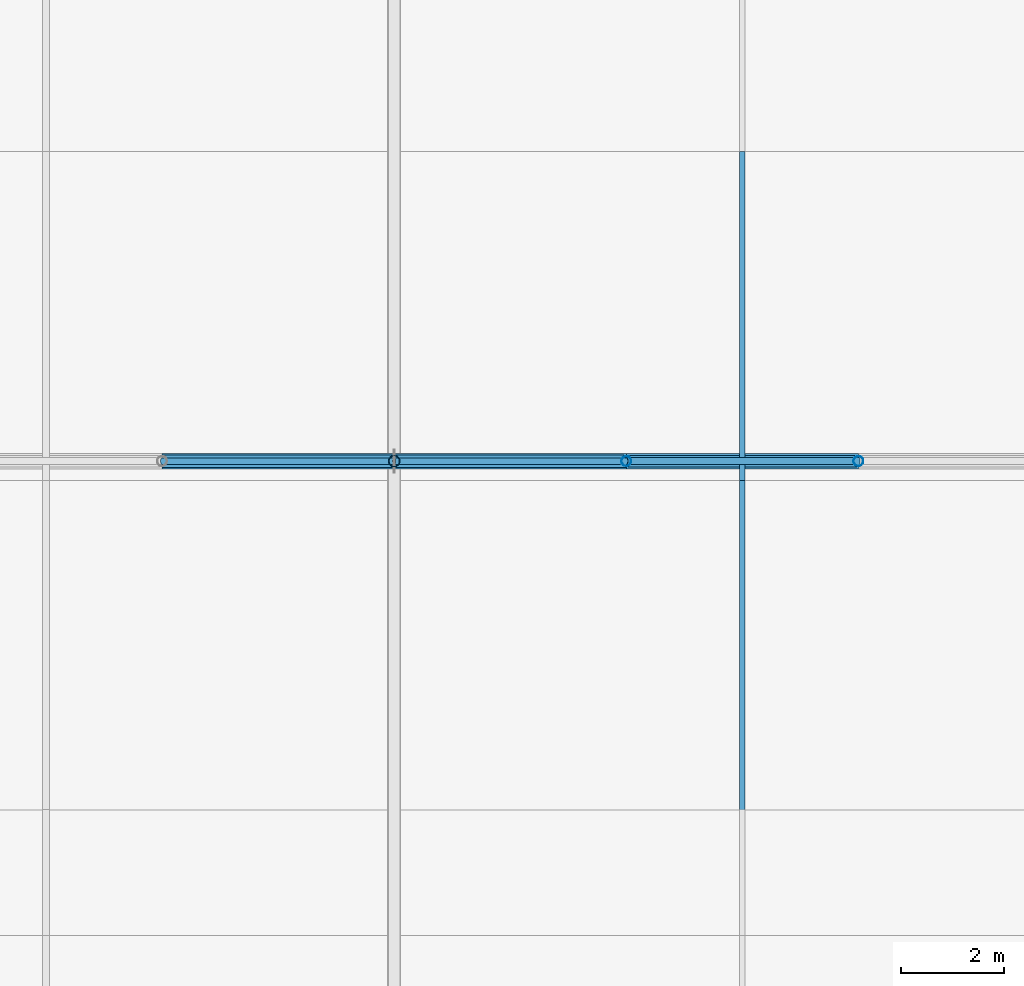
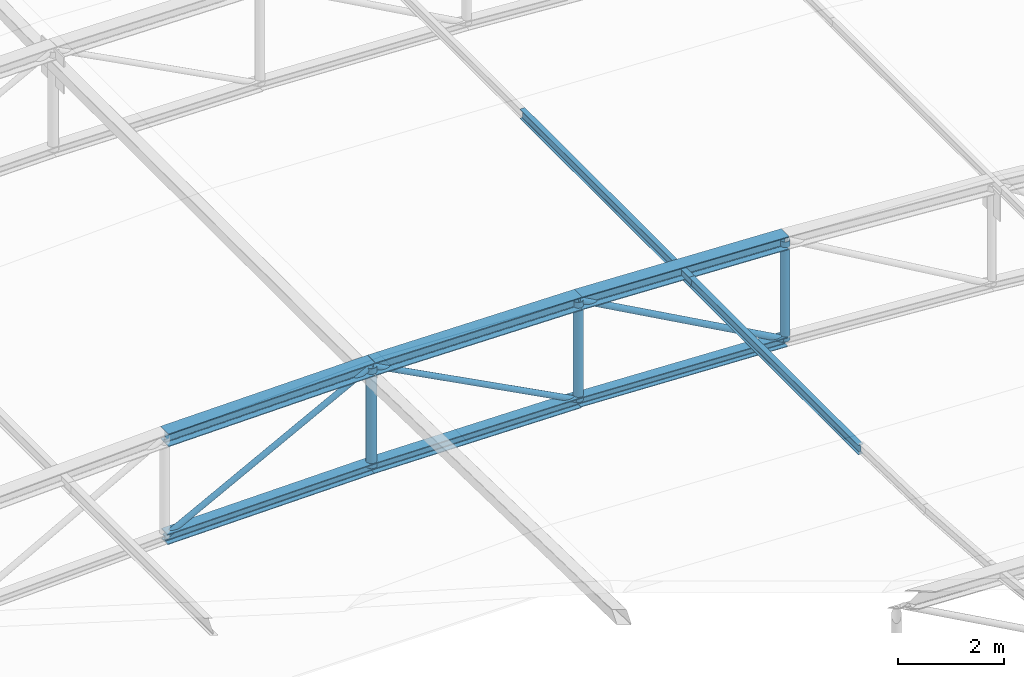
# One storey, part 97 of 262: 14 members.
"""IFC4 building model written with IfcOpenShell, lengths in metres."""

from ifc_helpers import new_model, si_unit, derived_unit, direction, frame, origin, origin_2d, place, context, subcontext, project, spatial, hollow_circle, i_section, extrude, material, material_profile, profile_set, type_object, element, save


model = new_model("IFC4")

# Units and contexts
model_context = context("Model", 3, precision=1e-05, world=origin(), true_north=direction((0.0, 1.0)))
body_context = subcontext(model_context, "Body", "Model", "MODEL_VIEW")
ifc_project = project(units=[si_unit("LENGTHUNIT", "METRE"), si_unit("AREAUNIT", "SQUARE_METRE"), si_unit("VOLUMEUNIT", "CUBIC_METRE"), si_unit("PLANEANGLEUNIT", "RADIAN"), si_unit("MASSUNIT", "GRAM", prefix="KILO"), derived_unit("THERMALTRANSMITTANCEUNIT", [(si_unit("POWERUNIT", "WATT"), 1), (si_unit("LENGTHUNIT", "METRE"), -2), (si_unit("THERMODYNAMICTEMPERATUREUNIT", "KELVIN"), -1)])], contexts=[model_context])

# Site, building, storey
site_placement = place(None, origin())
site = spatial("IfcSite", under=ifc_project, at=site_placement, CompositionType="ELEMENT")
building_placement = place(site_placement, origin())
building = spatial("IfcBuilding", under=site, at=building_placement, Name="Almenara Railside Exhibition Hall", CompositionType="ELEMENT")
storey_placement = place(building_placement, frame((0.0, 0.0, 21.699951171875)))
storey = spatial("IfcBuildingStorey", under=building, at=storey_placement, Name="RF", CompositionType="ELEMENT", Elevation=21.699951171875)

# Members
ifc_material = material(Name="Structural steel S355JR", Category="steel")
ifc_material_profile_1 = material_profile(ifc_material, i_section(OverallWidth=0.239990234375, OverallDepth=0.239990234375, WebThickness=0.010009765625, FlangeThickness=0.01708984375, FilletRadius=0.02099609375, at=origin_2d()), Name="HEB 240")
ifc_profile_set_1 = profile_set([ifc_material_profile_1], Name="Structural steel S355JR")
member_type_1 = type_object("IfcMemberType", Name="Arched Crown Bottom Chord HEB 240 S355JR", PredefinedType="CHORD", material=ifc_profile_set_1)
for number, where, z_axis, x_axis, name in (
    (1, (34.5, 84.0, -0.260986328125), (0.999908030213, 0.0, 0.013562120635), (0.0, 1.0, 0.0), "MEM-BC-V1-03-05"),
    (2, (39.0, 84.0, -0.199951171875), (0.999908030213, 0.0, -0.013562120635), (0.0, 1.0, 0.0), "MEM-BC-V1-03-06"),
):
    element("IfcMember", number, at=place(storey_placement, frame(where, z_axis=z_axis, x_axis=x_axis)), inside=storey, type_object=member_type_1, Name=name, PredefinedType="CHORD", context=body_context, shape_type="SweptSolid", body=[
        extrude(i_section(OverallWidth=0.239990234375, OverallDepth=0.239990234375, WebThickness=0.010009765625, FlangeThickness=0.01708984375, FilletRadius=0.02099609375, at=origin_2d()), origin(), (0.0, 0.0, 1.0), 4.50048828125),
    ])
ifc_material_profile_2 = material_profile(ifc_material, i_section(OverallWidth=0.300048828125, OverallDepth=0.300048828125, WebThickness=0.010986328125, FlangeThickness=0.01904296875, FilletRadius=0.027099609375, at=origin_2d()), Name="HEB 300")
ifc_profile_set_2 = profile_set([ifc_material_profile_2], Name="Structural steel S355JR")
member_type_2 = type_object("IfcMemberType", Name="Arched Inner Top Chord HEB 300 S355JR", PredefinedType="CHORD", material=ifc_profile_set_2)
for number, where, z_axis, x_axis, name in (
    (3, (34.5, 84.0, 2.038818359375), (0.999907293085, 0.0, 0.01361635908), (0.0, 1.0, 0.0), "MEM-TC-V1-03-05"),
    (4, (39.0, 84.0, 2.10009765625), (0.999907293085, 0.0, -0.01361635908), (0.0, 1.0, 0.0), "MEM-TC-V1-03-06"),
):
    element("IfcMember", number, at=place(storey_placement, frame(where, z_axis=z_axis, x_axis=x_axis)), inside=storey, type_object=member_type_2, Name=name, PredefinedType="CHORD", context=body_context, shape_type="SweptSolid", body=[
        extrude(i_section(OverallWidth=0.300048828125, OverallDepth=0.300048828125, WebThickness=0.010986328125, FlangeThickness=0.01904296875, FilletRadius=0.027099609375, at=origin_2d()), origin(), (0.0, 0.0, 1.0), 4.50048828125),
    ])
member_1_placement = place(storey_placement, frame((43.5, 84.0, 2.038818359375), z_axis=(0.999173184279, 0.0, -0.040656460949), x_axis=(0.0, 1.0, 0.0)))
element("IfcMember", 5, at=member_1_placement, inside=storey, type_object=member_type_2, Name="MEM-TC-V1-03-07", PredefinedType="CHORD", context=body_context, shape_type="SweptSolid", body=[
    extrude(i_section(OverallWidth=0.300048828125, OverallDepth=0.300048828125, WebThickness=0.010986328125, FlangeThickness=0.01904296875, FilletRadius=0.027099609375, at=origin_2d()), origin(), (0.0, 0.0, 1.0), 4.503662109375),
])
ifc_material_profile_3 = material_profile(ifc_material, i_section(OverallWidth=0.110107421875, OverallDepth=0.219970703125, WebThickness=0.005859375, FlangeThickness=0.00927734375, FilletRadius=0.011962890625, at=origin_2d()), Name="IPE 220")
ifc_profile_set_3 = profile_set([ifc_material_profile_3], Name="Structural steel S355JR")
member_type_3 = type_object("IfcMemberType", Name="Heavy Hall Roof Purlin IPE 220 S355JR", PredefinedType="PURLIN", material=ifc_profile_set_3)
member_2_placement = place(storey_placement, frame((45.75, 77.240478515625, 1.9052734375), z_axis=(0.0, 1.0, 0.0), x_axis=(-1.0, 0.0, 0.0)))
element("IfcMember", 6, at=member_2_placement, inside=storey, type_object=member_type_3, Name="MEM-PR-V1-PR-IPE220-05-12", PredefinedType="PURLIN", context=body_context, shape_type="SweptSolid", body=[
    extrude(i_section(OverallWidth=0.110107421875, OverallDepth=0.219970703125, WebThickness=0.005859375, FlangeThickness=0.00927734375, FilletRadius=0.011962890625, at=origin_2d()), origin(), (0.0, 0.0, 1.0), 6.379638671875),
])
member_3_placement = place(storey_placement, frame((45.75, 83.6201171875, 1.9052734375), z_axis=(0.0, 1.0, 0.0), x_axis=(-1.0, 0.0, 0.0)))
element("IfcMember", 7, at=member_3_placement, inside=storey, type_object=member_type_3, Name="MEM-PR-V1-PR-IPE220-05-13", PredefinedType="PURLIN", context=body_context, shape_type="SweptSolid", body=[
    extrude(i_section(OverallWidth=0.110107421875, OverallDepth=0.219970703125, WebThickness=0.005859375, FlangeThickness=0.00927734375, FilletRadius=0.011962890625, at=origin_2d()), origin(), (0.0, 0.0, 1.0), 6.3798828125),
])
ifc_material_profile_4 = material_profile(ifc_material, i_section(OverallWidth=0.219970703125, OverallDepth=0.219970703125, WebThickness=0.009521484375, FlangeThickness=0.01611328125, FilletRadius=0.01806640625, at=origin_2d()), Name="HEB 220")
ifc_profile_set_4 = profile_set([ifc_material_profile_4], Name="Structural steel S355JR")
member_type_4 = type_object("IfcMemberType", Name="Scroll Tie Chord HEB 220 S355JR", PredefinedType="CHORD", material=ifc_profile_set_4)
member_4_placement = place(storey_placement, frame((43.5, 84.0, -0.260986328125), z_axis=(0.99917098071, 0.0, -0.04071057978), x_axis=(0.0, 1.0, 0.0)))
element("IfcMember", 8, at=member_4_placement, inside=storey, type_object=member_type_4, Name="MEM-BC-V1-03-07", PredefinedType="CHORD", context=body_context, shape_type="SweptSolid", body=[
    extrude(i_section(OverallWidth=0.219970703125, OverallDepth=0.219970703125, WebThickness=0.009521484375, FlangeThickness=0.01611328125, FilletRadius=0.01806640625, at=origin_2d()), origin(), (0.0, 0.0, 1.0), 4.503662109375),
])
ifc_material_profile_5 = material_profile(ifc_material, hollow_circle(Radius=0.0634765625, WallThickness=0.00439453125, at=origin_2d()), Name="CHS 127.0x4.5")
ifc_profile_set_5 = profile_set([ifc_material_profile_5], Name="Structural steel S355JR")
member_type_5 = type_object("IfcMemberType", Name="Truss Crown Diagonal CHS 127.0x4.5 S355JR", PredefinedType="BRACE", material=ifc_profile_set_5)
for number, where, z_axis, x_axis, name in (
    (9, (34.5, 84.0, -0.260986328125), (0.885512555589, 0.0, 0.464615447326), (0.0, 1.0, 0.0), "MEM-TD-V1-03-05"),
    (10, (39.0, 84.0, 2.10009765625), (0.885512555589, 0.0, -0.464615447326), (0.0, 1.0, 0.0), "MEM-TD-V1-03-06"),
):
    element("IfcMember", number, at=place(storey_placement, frame(where, z_axis=z_axis, x_axis=x_axis)), inside=storey, type_object=member_type_5, Name=name, PredefinedType="BRACE", context=body_context, shape_type="SweptSolid", body=[
        extrude(hollow_circle(Radius=0.0634765625, WallThickness=0.00439453125, at=origin_2d()), origin(), (0.0, 0.0, 1.0), 5.081787109375),
    ])
ifc_material_profile_6 = material_profile(ifc_material, hollow_circle(Radius=0.06982421875, WallThickness=0.0048828125, at=origin_2d()), Name="CHS 139.7x5")
ifc_profile_set_6 = profile_set([ifc_material_profile_6], Name="Structural steel S355JR")
member_type_6 = type_object("IfcMemberType", Name="Truss Inner Diagonal CHS 139.7x5 S355JR", PredefinedType="BRACE", material=ifc_profile_set_6)
member_5_placement = place(storey_placement, frame((43.5, 84.0, 2.038818359375), z_axis=(0.875545119572, 0.0, -0.483136361283), x_axis=(0.0, 1.0, 0.0)))
element("IfcMember", 11, at=member_5_placement, inside=storey, type_object=member_type_6, Name="MEM-TD-V1-03-07", PredefinedType="BRACE", context=body_context, shape_type="SweptSolid", body=[
    extrude(hollow_circle(Radius=0.06982421875, WallThickness=0.0048828125, at=origin_2d()), origin(), (0.0, 0.0, 1.0), 5.1396484375),
])
ifc_material_profile_7 = material_profile(ifc_material, hollow_circle(Radius=0.109619140625, WallThickness=0.008056640625, at=origin_2d()), Name="CHS 219.1x8")
ifc_profile_set_7 = profile_set([ifc_material_profile_7], Name="Structural steel S355JR")
member_type_7 = type_object("IfcMemberType", Name="Truss Primary Vertical Strut CHS 219.1x8 S355JR", PredefinedType="BRACE", material=ifc_profile_set_7)
member_6_placement = place(storey_placement, frame((39.0, 84.0, -0.199951171875), z_axis=(0.0, 0.0, 1.0), x_axis=(1.0, 0.0, 0.0)))
element("IfcMember", 12, at=member_6_placement, inside=storey, type_object=member_type_7, Name="MEM-TV-V1-03-06", PredefinedType="BRACE", context=body_context, shape_type="SweptSolid", body=[
    extrude(hollow_circle(Radius=0.109619140625, WallThickness=0.008056640625, at=origin_2d()), origin(), (0.0, 0.0, 1.0), 2.300048828125),
])
ifc_material_profile_8 = material_profile(ifc_material, hollow_circle(Radius=0.096923828125, WallThickness=0.00634765625, at=origin_2d()), Name="CHS 193.7x6.3")
ifc_profile_set_8 = profile_set([ifc_material_profile_8], Name="Structural steel S355JR")
member_type_8 = type_object("IfcMemberType", Name="Truss Standard Vertical Strut CHS 193.7x6.3 S355JR", PredefinedType="BRACE", material=ifc_profile_set_8)
member_7_placement = place(storey_placement, frame((43.5, 84.0, -0.260986328125), z_axis=(0.0, 0.0, 1.0), x_axis=(1.0, 0.0, 0.0)))
element("IfcMember", 13, at=member_7_placement, inside=storey, type_object=member_type_8, Name="MEM-TV-V1-03-07", PredefinedType="BRACE", context=body_context, shape_type="SweptSolid", body=[
    extrude(hollow_circle(Radius=0.096923828125, WallThickness=0.00634765625, at=origin_2d()), origin(), (0.0, 0.0, 1.0), 2.2998046875),
])
member_8_placement = place(storey_placement, frame((48.0, 84.0, -0.4443359375), z_axis=(0.0, 0.0, 1.0), x_axis=(1.0, 0.0, 0.0)))
element("IfcMember", 14, at=member_8_placement, inside=storey, type_object=member_type_8, Name="MEM-TV-V1-03-08", PredefinedType="BRACE", context=body_context, shape_type="SweptSolid", body=[
    extrude(hollow_circle(Radius=0.096923828125, WallThickness=0.00634765625, at=origin_2d()), origin(), (0.0, 0.0, 1.0), 2.300048828125),
])

save(model, "model.ifc")
